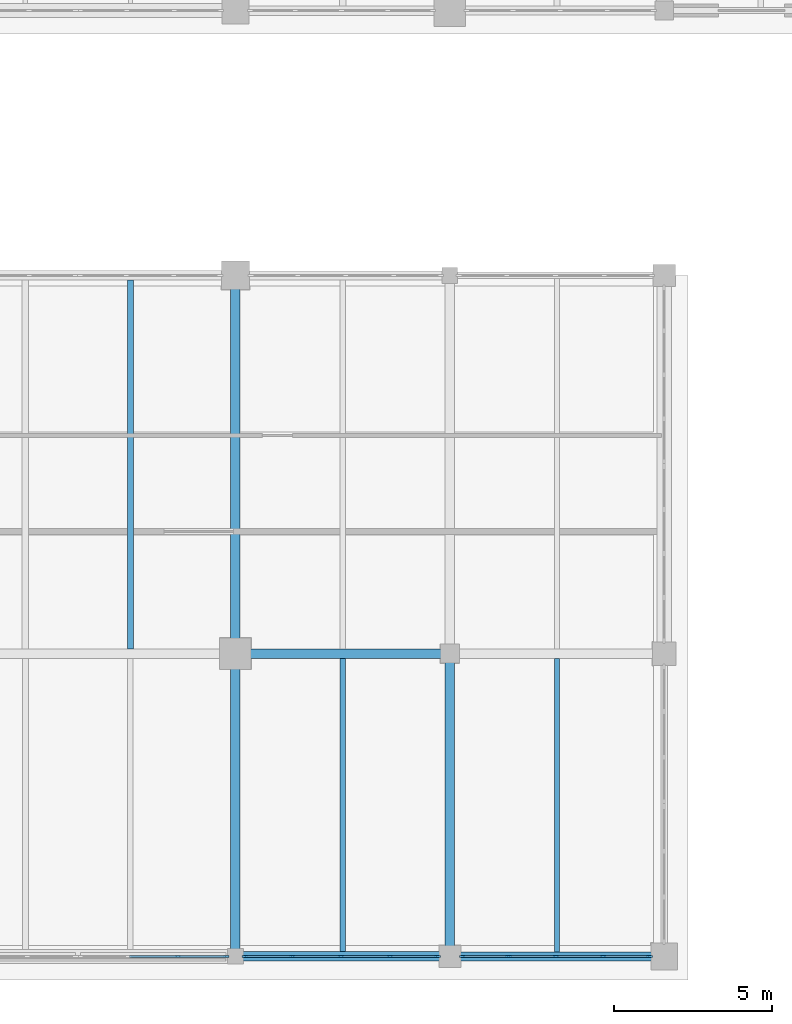
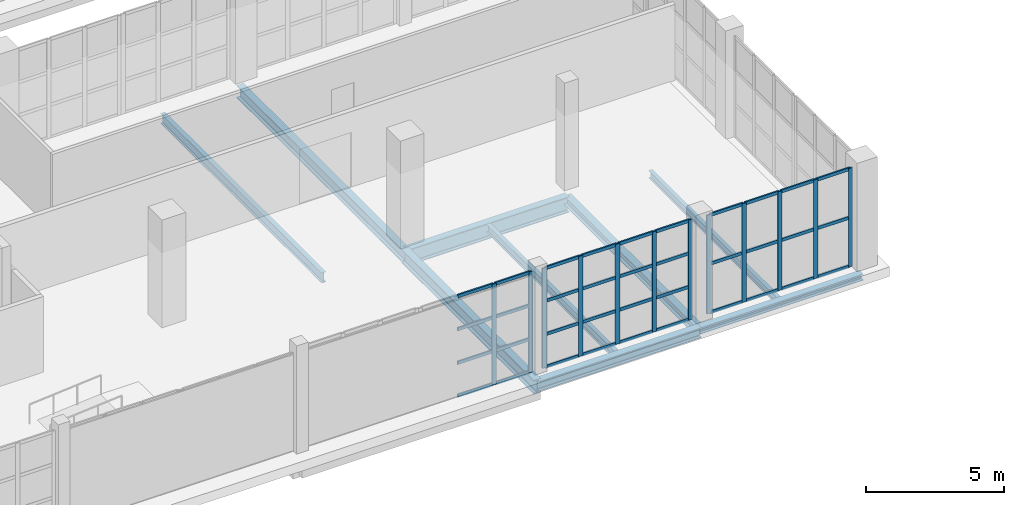
# One storey, part 42 of 121: 48 members, 9 beams, 3 elements without a shape of their own.
"""IFC4 building model written with IfcOpenShell, lengths in metres."""

from ifc_helpers import new_model, si_unit, direction, frame, origin, origin_2d, place, context, subcontext, project, spatial, rectangle, i_section, extrude, material, layer, layer_set, material_profile, profile_set, type_object, element, aggregate, save


model = new_model("IFC4")

# Units and contexts
model_context = context("Model", 3, precision=1e-05, world=origin(), true_north=direction((0.0, 1.0)))
body_context = subcontext(model_context, "Body", "Model", "MODEL_VIEW")
ifc_project = project(units=[si_unit("LENGTHUNIT", "METRE"), si_unit("AREAUNIT", "SQUARE_METRE"), si_unit("VOLUMEUNIT", "CUBIC_METRE"), si_unit("PLANEANGLEUNIT", "RADIAN"), si_unit("MASSUNIT", "GRAM", prefix="KILO")], contexts=[model_context])

# Site, building, storey
site_placement = place(None, origin())
site = spatial("IfcSite", under=ifc_project, at=site_placement, CompositionType="ELEMENT")
building_placement = place(site_placement, origin())
building = spatial("IfcBuilding", under=site, at=building_placement, Name="Zereglee Splitstone Museum", CompositionType="ELEMENT")
storey_placement = place(building_placement, origin())
storey = spatial("IfcBuildingStorey", under=building, at=storey_placement, Name="L00", CompositionType="ELEMENT", Elevation=0.0)

# Curtain wall, members
ifc_material_1 = material(Name="Triple-glazed low-E argon glass and bronze-anodised aluminium", Category="aluminium")
ifc_layer_1 = layer(ifc_material_1, 0.179931640625)
ifc_layer_set_1 = layer_set([ifc_layer_1], Name="Triple-glazed low-E argon glass and bronze-anodised aluminium")
curtain_wall_type_1 = type_object("IfcCurtainWallType", Name="CW-0470-448", PredefinedType="USERDEFINED", material=ifc_layer_set_1)
curtain_wall_1_placement = place(storey_placement, origin())
curtain_wall_1 = element("IfcCurtainWall", 1, at=curtain_wall_1_placement, inside=storey, type_object=curtain_wall_type_1, Name="Glazed Curtain Wall CW-0470-448 (L00)", ObjectType="GLAZED CURTAIN WALL", PredefinedType="USERDEFINED")
ifc_material_2 = material(Name="Thermally broken bronze-anodised aluminium", Category="aluminium")
ifc_material_profile_1 = material_profile(ifc_material_2, rectangle(XDim=0.06494140625, YDim=0.179931640625, at=origin_2d()), Name="CW MULL 65x180")
ifc_profile_set_1 = profile_set([ifc_material_profile_1], Name="Thermally broken bronze-anodised aluminium")
member_type_1 = type_object("IfcMemberType", Name="CWM-01", PredefinedType="MULLION", material=ifc_profile_set_1)
member_1_placement = place(storey_placement, frame((213.374755859375, 0.0, 0.0), z_axis=(0.0, 0.0, 1.0), x_axis=(0.0, 1.0, 0.0)))
member_1 = element("IfcMember", 2, at=member_1_placement, type_object=member_type_1, Name="CW-0470-448 mullion 3", PredefinedType="MULLION", context=body_context, shape_type="SweptSolid", body=[
    extrude(rectangle(XDim=0.06494140625, YDim=0.179931640625, at=origin_2d()), origin(), (0.0, 0.0, 1.0), 4.47998046875),
])
member_2_placement = place(storey_placement, frame((214.909423828125, 0.0, 0.0), z_axis=(0.0, 0.0, 1.0), x_axis=(0.0, 1.0, 0.0)))
member_2 = element("IfcMember", 3, at=member_2_placement, type_object=member_type_1, Name="CW-0470-448 mullion 4", PredefinedType="MULLION", context=body_context, shape_type="SweptSolid", body=[
    extrude(rectangle(XDim=0.06494140625, YDim=0.179931640625, at=origin_2d()), origin(), (0.0, 0.0, 1.0), 4.47998046875),
])

ifc_layer_2 = layer(ifc_material_1, 0.179931640625)
ifc_layer_set_2 = layer_set([ifc_layer_2], Name="Triple-glazed low-E argon glass and bronze-anodised aluminium")
curtain_wall_type_2 = type_object("IfcCurtainWallType", Name="CW-0618-444", PredefinedType="USERDEFINED", material=ifc_layer_set_2)
curtain_wall_2_placement = place(storey_placement, origin())
curtain_wall_2 = element("IfcCurtainWall", 4, at=curtain_wall_2_placement, inside=storey, type_object=curtain_wall_type_2, Name="Glazed Curtain Wall CW-0618-444 (L00)", ObjectType="GLAZED CURTAIN WALL", PredefinedType="USERDEFINED")
member_3_placement = place(storey_placement, frame((215.490478515625, 0.0, 0.0), z_axis=(0.0, 0.0, 1.0), x_axis=(0.0, 1.0, 0.0)))
member_3 = element("IfcMember", 5, at=member_3_placement, type_object=member_type_1, Name="CW-0618-444 mullion 1", PredefinedType="MULLION", context=body_context, shape_type="SweptSolid", body=[
    extrude(rectangle(XDim=0.06494140625, YDim=0.179931640625, at=origin_2d()), origin(), (0.0, 0.0, 1.0), 4.43994140625),
])
member_4_placement = place(storey_placement, frame((217.00390625, 0.0, 0.0), z_axis=(0.0, 0.0, 1.0), x_axis=(0.0, 1.0, 0.0)))
member_4 = element("IfcMember", 6, at=member_4_placement, type_object=member_type_1, Name="CW-0618-444 mullion 2", PredefinedType="MULLION", context=body_context, shape_type="SweptSolid", body=[
    extrude(rectangle(XDim=0.06494140625, YDim=0.179931640625, at=origin_2d()), origin(), (0.0, 0.0, 1.0), 4.43994140625),
])
member_5_placement = place(storey_placement, frame((218.550048828125, 0.0, 0.0), z_axis=(0.0, 0.0, 1.0), x_axis=(0.0, 1.0, 0.0)))
member_5 = element("IfcMember", 7, at=member_5_placement, type_object=member_type_1, Name="CW-0618-444 mullion 3", PredefinedType="MULLION", context=body_context, shape_type="SweptSolid", body=[
    extrude(rectangle(XDim=0.06494140625, YDim=0.179931640625, at=origin_2d()), origin(), (0.0, 0.0, 1.0), 4.43994140625),
])
member_6_placement = place(storey_placement, frame((220.095947265625, 0.0, 0.0), z_axis=(0.0, 0.0, 1.0), x_axis=(0.0, 1.0, 0.0)))
member_6 = element("IfcMember", 8, at=member_6_placement, type_object=member_type_1, Name="CW-0618-444 mullion 4", PredefinedType="MULLION", context=body_context, shape_type="SweptSolid", body=[
    extrude(rectangle(XDim=0.06494140625, YDim=0.179931640625, at=origin_2d()), origin(), (0.0, 0.0, 1.0), 4.43994140625),
])
member_7_placement = place(storey_placement, frame((221.609619140625, 0.0, 0.0), z_axis=(0.0, 0.0, 1.0), x_axis=(0.0, 1.0, 0.0)))
member_7 = element("IfcMember", 9, at=member_7_placement, type_object=member_type_1, Name="CW-0618-444 mullion 5", PredefinedType="MULLION", context=body_context, shape_type="SweptSolid", body=[
    extrude(rectangle(XDim=0.06494140625, YDim=0.179931640625, at=origin_2d()), origin(), (0.0, 0.0, 1.0), 4.43994140625),
])

ifc_layer_3 = layer(ifc_material_1, 0.179931640625)
ifc_layer_set_3 = layer_set([ifc_layer_3], Name="Triple-glazed low-E argon glass and bronze-anodised aluminium")
curtain_wall_type_3 = type_object("IfcCurtainWallType", Name="CW-0601-438", PredefinedType="USERDEFINED", material=ifc_layer_set_3)
curtain_wall_3_placement = place(storey_placement, origin())
curtain_wall_3 = element("IfcCurtainWall", 10, at=curtain_wall_3_placement, inside=storey, type_object=curtain_wall_type_3, Name="Glazed Curtain Wall CW-0601-438 (L00)", ObjectType="GLAZED CURTAIN WALL", PredefinedType="USERDEFINED")
member_8_placement = place(storey_placement, frame((222.390380859375, 0.0, 0.0), z_axis=(0.0, 0.0, 1.0), x_axis=(0.0, 1.0, 0.0)))
member_8 = element("IfcMember", 11, at=member_8_placement, type_object=member_type_1, Name="CW-0601-438 mullion 1", PredefinedType="MULLION", context=body_context, shape_type="SweptSolid", body=[
    extrude(rectangle(XDim=0.06494140625, YDim=0.179931640625, at=origin_2d()), origin(), (0.0, 0.0, 1.0), 4.3798828125),
])
member_9_placement = place(storey_placement, frame((223.8603515625, 0.0, 0.0), z_axis=(0.0, 0.0, 1.0), x_axis=(0.0, 1.0, 0.0)))
member_9 = element("IfcMember", 12, at=member_9_placement, type_object=member_type_1, Name="CW-0601-438 mullion 2", PredefinedType="MULLION", context=body_context, shape_type="SweptSolid", body=[
    extrude(rectangle(XDim=0.06494140625, YDim=0.179931640625, at=origin_2d()), origin(), (0.0, 0.0, 1.0), 4.3798828125),
])
member_10_placement = place(storey_placement, frame((225.362548828125, 0.0, 0.0), z_axis=(0.0, 0.0, 1.0), x_axis=(0.0, 1.0, 0.0)))
member_10 = element("IfcMember", 13, at=member_10_placement, type_object=member_type_1, Name="CW-0601-438 mullion 3", PredefinedType="MULLION", context=body_context, shape_type="SweptSolid", body=[
    extrude(rectangle(XDim=0.06494140625, YDim=0.179931640625, at=origin_2d()), origin(), (0.0, 0.0, 1.0), 4.3798828125),
])
member_11_placement = place(storey_placement, frame((226.86474609375, 0.0, 0.0), z_axis=(0.0, 0.0, 1.0), x_axis=(0.0, 1.0, 0.0)))
member_11 = element("IfcMember", 14, at=member_11_placement, type_object=member_type_1, Name="CW-0601-438 mullion 4", PredefinedType="MULLION", context=body_context, shape_type="SweptSolid", body=[
    extrude(rectangle(XDim=0.06494140625, YDim=0.179931640625, at=origin_2d()), origin(), (0.0, 0.0, 1.0), 4.3798828125),
])
member_12_placement = place(storey_placement, frame((228.33447265625, 0.0, 0.0), z_axis=(0.0, 0.0, 1.0), x_axis=(0.0, 1.0, 0.0)))
member_12 = element("IfcMember", 15, at=member_12_placement, type_object=member_type_1, Name="CW-0601-438 mullion 5", PredefinedType="MULLION", context=body_context, shape_type="SweptSolid", body=[
    extrude(rectangle(XDim=0.06494140625, YDim=0.179931640625, at=origin_2d()), origin(), (0.0, 0.0, 1.0), 4.3798828125),
])

# Member
ifc_material_profile_2 = material_profile(ifc_material_2, rectangle(XDim=0.06494140625, YDim=0.139892578125, at=origin_2d()), Name="CW TRAN 65x140")
ifc_profile_set_2 = profile_set([ifc_material_profile_2], Name="Thermally broken bronze-anodised aluminium")
member_type_2 = type_object("IfcMemberType", Name="CWT-01", PredefinedType="USERDEFINED", material=ifc_profile_set_2)
member_13_placement = place(storey_placement, frame((211.83984375, 0.0, 0.032470703125), z_axis=(1.0, 0.0, 0.0), x_axis=(0.0, 1.0, 0.0)))
member_13 = element("IfcMember", 16, at=member_13_placement, type_object=member_type_2, Name="CW-0470-448 transom 2.1", ObjectType="TRANSOM", PredefinedType="USERDEFINED", context=body_context, shape_type="SweptSolid", body=[
    extrude(rectangle(XDim=0.06494140625, YDim=0.139892578125, at=origin_2d()), origin(), (0.0, 0.0, 1.0), 1.50244140625),
])

member_14_placement = place(storey_placement, frame((211.83984375, 0.0, 1.493408203125), z_axis=(1.0, 0.0, 0.0), x_axis=(0.0, 1.0, 0.0)))
member_14 = element("IfcMember", 17, at=member_14_placement, type_object=member_type_2, Name="CW-0470-448 transom 2.2", ObjectType="TRANSOM", PredefinedType="USERDEFINED", context=body_context, shape_type="SweptSolid", body=[
    extrude(rectangle(XDim=0.06494140625, YDim=0.139892578125, at=origin_2d()), origin(), (0.0, 0.0, 1.0), 1.50244140625),
])

member_15_placement = place(storey_placement, frame((211.83984375, 0.0, 2.98681640625), z_axis=(1.0, 0.0, 0.0), x_axis=(0.0, 1.0, 0.0)))
member_15 = element("IfcMember", 18, at=member_15_placement, type_object=member_type_2, Name="CW-0470-448 transom 2.3", ObjectType="TRANSOM", PredefinedType="USERDEFINED", context=body_context, shape_type="SweptSolid", body=[
    extrude(rectangle(XDim=0.06494140625, YDim=0.139892578125, at=origin_2d()), origin(), (0.0, 0.0, 1.0), 1.50244140625),
])

member_16_placement = place(storey_placement, frame((211.83984375, 0.0, 4.447509765625), z_axis=(1.0, 0.0, 0.0), x_axis=(0.0, 1.0, 0.0)))
member_16 = element("IfcMember", 19, at=member_16_placement, type_object=member_type_2, Name="CW-0470-448 transom 2.4", ObjectType="TRANSOM", PredefinedType="USERDEFINED", context=body_context, shape_type="SweptSolid", body=[
    extrude(rectangle(XDim=0.06494140625, YDim=0.139892578125, at=origin_2d()), origin(), (0.0, 0.0, 1.0), 1.50244140625),
])

member_17_placement = place(storey_placement, frame((213.4072265625, 0.0, 0.032470703125), z_axis=(1.0, 0.0, 0.0), x_axis=(0.0, 1.0, 0.0)))
member_17 = element("IfcMember", 20, at=member_17_placement, type_object=member_type_2, Name="CW-0470-448 transom 3.1", ObjectType="TRANSOM", PredefinedType="USERDEFINED", context=body_context, shape_type="SweptSolid", body=[
    extrude(rectangle(XDim=0.06494140625, YDim=0.139892578125, at=origin_2d()), origin(), (0.0, 0.0, 1.0), 1.4697265625),
])

member_18_placement = place(storey_placement, frame((213.4072265625, 0.0, 1.493408203125), z_axis=(1.0, 0.0, 0.0), x_axis=(0.0, 1.0, 0.0)))
member_18 = element("IfcMember", 21, at=member_18_placement, type_object=member_type_2, Name="CW-0470-448 transom 3.2", ObjectType="TRANSOM", PredefinedType="USERDEFINED", context=body_context, shape_type="SweptSolid", body=[
    extrude(rectangle(XDim=0.06494140625, YDim=0.139892578125, at=origin_2d()), origin(), (0.0, 0.0, 1.0), 1.4697265625),
])

member_19_placement = place(storey_placement, frame((213.4072265625, 0.0, 2.98681640625), z_axis=(1.0, 0.0, 0.0), x_axis=(0.0, 1.0, 0.0)))
member_19 = element("IfcMember", 22, at=member_19_placement, type_object=member_type_2, Name="CW-0470-448 transom 3.3", ObjectType="TRANSOM", PredefinedType="USERDEFINED", context=body_context, shape_type="SweptSolid", body=[
    extrude(rectangle(XDim=0.06494140625, YDim=0.139892578125, at=origin_2d()), origin(), (0.0, 0.0, 1.0), 1.4697265625),
])

member_20_placement = place(storey_placement, frame((213.4072265625, 0.0, 4.447509765625), z_axis=(1.0, 0.0, 0.0), x_axis=(0.0, 1.0, 0.0)))
member_20 = element("IfcMember", 23, at=member_20_placement, type_object=member_type_2, Name="CW-0470-448 transom 3.4", ObjectType="TRANSOM", PredefinedType="USERDEFINED", context=body_context, shape_type="SweptSolid", body=[
    extrude(rectangle(XDim=0.06494140625, YDim=0.139892578125, at=origin_2d()), origin(), (0.0, 0.0, 1.0), 1.4697265625),
])

aggregate(curtain_wall_1, [member_1, member_2, member_13, member_14, member_15, member_16, member_17, member_18, member_19, member_20])

member_21_placement = place(storey_placement, frame((215.52294921875, 0.0, 0.032470703125), z_axis=(1.0, 0.0, 0.0), x_axis=(0.0, 1.0, 0.0)))
member_21 = element("IfcMember", 24, at=member_21_placement, type_object=member_type_2, Name="CW-0618-444 transom 1.1", ObjectType="TRANSOM", PredefinedType="USERDEFINED", context=body_context, shape_type="SweptSolid", body=[
    extrude(rectangle(XDim=0.06494140625, YDim=0.139892578125, at=origin_2d()), origin(), (0.0, 0.0, 1.0), 1.448486328125),
])

member_22_placement = place(storey_placement, frame((215.52294921875, 0.0, 1.47998046875), z_axis=(1.0, 0.0, 0.0), x_axis=(0.0, 1.0, 0.0)))
member_22 = element("IfcMember", 25, at=member_22_placement, type_object=member_type_2, Name="CW-0618-444 transom 1.2", ObjectType="TRANSOM", PredefinedType="USERDEFINED", context=body_context, shape_type="SweptSolid", body=[
    extrude(rectangle(XDim=0.06494140625, YDim=0.139892578125, at=origin_2d()), origin(), (0.0, 0.0, 1.0), 1.448486328125),
])

member_23_placement = place(storey_placement, frame((215.52294921875, 0.0, 2.9599609375), z_axis=(1.0, 0.0, 0.0), x_axis=(0.0, 1.0, 0.0)))
member_23 = element("IfcMember", 26, at=member_23_placement, type_object=member_type_2, Name="CW-0618-444 transom 1.3", ObjectType="TRANSOM", PredefinedType="USERDEFINED", context=body_context, shape_type="SweptSolid", body=[
    extrude(rectangle(XDim=0.06494140625, YDim=0.139892578125, at=origin_2d()), origin(), (0.0, 0.0, 1.0), 1.448486328125),
])

member_24_placement = place(storey_placement, frame((215.52294921875, 0.0, 4.407470703125), z_axis=(1.0, 0.0, 0.0), x_axis=(0.0, 1.0, 0.0)))
member_24 = element("IfcMember", 27, at=member_24_placement, type_object=member_type_2, Name="CW-0618-444 transom 1.4", ObjectType="TRANSOM", PredefinedType="USERDEFINED", context=body_context, shape_type="SweptSolid", body=[
    extrude(rectangle(XDim=0.06494140625, YDim=0.139892578125, at=origin_2d()), origin(), (0.0, 0.0, 1.0), 1.448486328125),
])

member_25_placement = place(storey_placement, frame((217.03662109375, 0.0, 0.032470703125), z_axis=(1.0, 0.0, 0.0), x_axis=(0.0, 1.0, 0.0)))
member_25 = element("IfcMember", 28, at=member_25_placement, type_object=member_type_2, Name="CW-0618-444 transom 2.1", ObjectType="TRANSOM", PredefinedType="USERDEFINED", context=body_context, shape_type="SweptSolid", body=[
    extrude(rectangle(XDim=0.06494140625, YDim=0.139892578125, at=origin_2d()), origin(), (0.0, 0.0, 1.0), 1.48095703125),
])

member_26_placement = place(storey_placement, frame((217.03662109375, 0.0, 1.47998046875), z_axis=(1.0, 0.0, 0.0), x_axis=(0.0, 1.0, 0.0)))
member_26 = element("IfcMember", 29, at=member_26_placement, type_object=member_type_2, Name="CW-0618-444 transom 2.2", ObjectType="TRANSOM", PredefinedType="USERDEFINED", context=body_context, shape_type="SweptSolid", body=[
    extrude(rectangle(XDim=0.06494140625, YDim=0.139892578125, at=origin_2d()), origin(), (0.0, 0.0, 1.0), 1.48095703125),
])

member_27_placement = place(storey_placement, frame((217.03662109375, 0.0, 2.9599609375), z_axis=(1.0, 0.0, 0.0), x_axis=(0.0, 1.0, 0.0)))
member_27 = element("IfcMember", 30, at=member_27_placement, type_object=member_type_2, Name="CW-0618-444 transom 2.3", ObjectType="TRANSOM", PredefinedType="USERDEFINED", context=body_context, shape_type="SweptSolid", body=[
    extrude(rectangle(XDim=0.06494140625, YDim=0.139892578125, at=origin_2d()), origin(), (0.0, 0.0, 1.0), 1.48095703125),
])

member_28_placement = place(storey_placement, frame((217.03662109375, 0.0, 4.407470703125), z_axis=(1.0, 0.0, 0.0), x_axis=(0.0, 1.0, 0.0)))
member_28 = element("IfcMember", 31, at=member_28_placement, type_object=member_type_2, Name="CW-0618-444 transom 2.4", ObjectType="TRANSOM", PredefinedType="USERDEFINED", context=body_context, shape_type="SweptSolid", body=[
    extrude(rectangle(XDim=0.06494140625, YDim=0.139892578125, at=origin_2d()), origin(), (0.0, 0.0, 1.0), 1.48095703125),
])

member_29_placement = place(storey_placement, frame((218.58251953125, 0.0, 0.032470703125), z_axis=(1.0, 0.0, 0.0), x_axis=(0.0, 1.0, 0.0)))
member_29 = element("IfcMember", 32, at=member_29_placement, type_object=member_type_2, Name="CW-0618-444 transom 3.1", ObjectType="TRANSOM", PredefinedType="USERDEFINED", context=body_context, shape_type="SweptSolid", body=[
    extrude(rectangle(XDim=0.06494140625, YDim=0.139892578125, at=origin_2d()), origin(), (0.0, 0.0, 1.0), 1.48095703125),
])

member_30_placement = place(storey_placement, frame((218.58251953125, 0.0, 1.47998046875), z_axis=(1.0, 0.0, 0.0), x_axis=(0.0, 1.0, 0.0)))
member_30 = element("IfcMember", 33, at=member_30_placement, type_object=member_type_2, Name="CW-0618-444 transom 3.2", ObjectType="TRANSOM", PredefinedType="USERDEFINED", context=body_context, shape_type="SweptSolid", body=[
    extrude(rectangle(XDim=0.06494140625, YDim=0.139892578125, at=origin_2d()), origin(), (0.0, 0.0, 1.0), 1.48095703125),
])

member_31_placement = place(storey_placement, frame((218.58251953125, 0.0, 2.9599609375), z_axis=(1.0, 0.0, 0.0), x_axis=(0.0, 1.0, 0.0)))
member_31 = element("IfcMember", 34, at=member_31_placement, type_object=member_type_2, Name="CW-0618-444 transom 3.3", ObjectType="TRANSOM", PredefinedType="USERDEFINED", context=body_context, shape_type="SweptSolid", body=[
    extrude(rectangle(XDim=0.06494140625, YDim=0.139892578125, at=origin_2d()), origin(), (0.0, 0.0, 1.0), 1.48095703125),
])

member_32_placement = place(storey_placement, frame((218.58251953125, 0.0, 4.407470703125), z_axis=(1.0, 0.0, 0.0), x_axis=(0.0, 1.0, 0.0)))
member_32 = element("IfcMember", 35, at=member_32_placement, type_object=member_type_2, Name="CW-0618-444 transom 3.4", ObjectType="TRANSOM", PredefinedType="USERDEFINED", context=body_context, shape_type="SweptSolid", body=[
    extrude(rectangle(XDim=0.06494140625, YDim=0.139892578125, at=origin_2d()), origin(), (0.0, 0.0, 1.0), 1.48095703125),
])

member_33_placement = place(storey_placement, frame((220.12841796875, 0.0, 0.032470703125), z_axis=(1.0, 0.0, 0.0), x_axis=(0.0, 1.0, 0.0)))
member_33 = element("IfcMember", 36, at=member_33_placement, type_object=member_type_2, Name="CW-0618-444 transom 4.1", ObjectType="TRANSOM", PredefinedType="USERDEFINED", context=body_context, shape_type="SweptSolid", body=[
    extrude(rectangle(XDim=0.06494140625, YDim=0.139892578125, at=origin_2d()), origin(), (0.0, 0.0, 1.0), 1.448486328125),
])

member_34_placement = place(storey_placement, frame((220.12841796875, 0.0, 1.47998046875), z_axis=(1.0, 0.0, 0.0), x_axis=(0.0, 1.0, 0.0)))
member_34 = element("IfcMember", 37, at=member_34_placement, type_object=member_type_2, Name="CW-0618-444 transom 4.2", ObjectType="TRANSOM", PredefinedType="USERDEFINED", context=body_context, shape_type="SweptSolid", body=[
    extrude(rectangle(XDim=0.06494140625, YDim=0.139892578125, at=origin_2d()), origin(), (0.0, 0.0, 1.0), 1.448486328125),
])

member_35_placement = place(storey_placement, frame((220.12841796875, 0.0, 2.9599609375), z_axis=(1.0, 0.0, 0.0), x_axis=(0.0, 1.0, 0.0)))
member_35 = element("IfcMember", 38, at=member_35_placement, type_object=member_type_2, Name="CW-0618-444 transom 4.3", ObjectType="TRANSOM", PredefinedType="USERDEFINED", context=body_context, shape_type="SweptSolid", body=[
    extrude(rectangle(XDim=0.06494140625, YDim=0.139892578125, at=origin_2d()), origin(), (0.0, 0.0, 1.0), 1.448486328125),
])

member_36_placement = place(storey_placement, frame((220.12841796875, 0.0, 4.407470703125), z_axis=(1.0, 0.0, 0.0), x_axis=(0.0, 1.0, 0.0)))
member_36 = element("IfcMember", 39, at=member_36_placement, type_object=member_type_2, Name="CW-0618-444 transom 4.4", ObjectType="TRANSOM", PredefinedType="USERDEFINED", context=body_context, shape_type="SweptSolid", body=[
    extrude(rectangle(XDim=0.06494140625, YDim=0.139892578125, at=origin_2d()), origin(), (0.0, 0.0, 1.0), 1.448486328125),
])

aggregate(curtain_wall_2, [member_3, member_4, member_5, member_6, member_7, member_21, member_22, member_23, member_24, member_25, member_26, member_27, member_28, member_29, member_30, member_31, member_32, member_33, member_34, member_35, member_36])

member_37_placement = place(storey_placement, frame((222.423095703125, 0.0, 0.032470703125), z_axis=(1.0, 0.0, 0.0), x_axis=(0.0, 1.0, 0.0)))
member_37 = element("IfcMember", 40, at=member_37_placement, type_object=member_type_2, Name="CW-0601-438 transom 1.1", ObjectType="TRANSOM", PredefinedType="USERDEFINED", context=body_context, shape_type="SweptSolid", body=[
    extrude(rectangle(XDim=0.06494140625, YDim=0.139892578125, at=origin_2d()), origin(), (0.0, 0.0, 1.0), 1.404541015625),
])

member_38_placement = place(storey_placement, frame((222.423095703125, 0.0, 2.18994140625), z_axis=(1.0, 0.0, 0.0), x_axis=(0.0, 1.0, 0.0)))
member_38 = element("IfcMember", 41, at=member_38_placement, type_object=member_type_2, Name="CW-0601-438 transom 1.2", ObjectType="TRANSOM", PredefinedType="USERDEFINED", context=body_context, shape_type="SweptSolid", body=[
    extrude(rectangle(XDim=0.06494140625, YDim=0.139892578125, at=origin_2d()), origin(), (0.0, 0.0, 1.0), 1.404541015625),
])

member_39_placement = place(storey_placement, frame((222.423095703125, 0.0, 4.347412109375), z_axis=(1.0, 0.0, 0.0), x_axis=(0.0, 1.0, 0.0)))
member_39 = element("IfcMember", 42, at=member_39_placement, type_object=member_type_2, Name="CW-0601-438 transom 1.3", ObjectType="TRANSOM", PredefinedType="USERDEFINED", context=body_context, shape_type="SweptSolid", body=[
    extrude(rectangle(XDim=0.06494140625, YDim=0.139892578125, at=origin_2d()), origin(), (0.0, 0.0, 1.0), 1.404541015625),
])

member_40_placement = place(storey_placement, frame((223.892822265625, 0.0, 0.032470703125), z_axis=(1.0, 0.0, 0.0), x_axis=(0.0, 1.0, 0.0)))
member_40 = element("IfcMember", 43, at=member_40_placement, type_object=member_type_2, Name="CW-0601-438 transom 2.1", ObjectType="TRANSOM", PredefinedType="USERDEFINED", context=body_context, shape_type="SweptSolid", body=[
    extrude(rectangle(XDim=0.06494140625, YDim=0.139892578125, at=origin_2d()), origin(), (0.0, 0.0, 1.0), 1.437255859375),
])

member_41_placement = place(storey_placement, frame((223.892822265625, 0.0, 2.18994140625), z_axis=(1.0, 0.0, 0.0), x_axis=(0.0, 1.0, 0.0)))
member_41 = element("IfcMember", 44, at=member_41_placement, type_object=member_type_2, Name="CW-0601-438 transom 2.2", ObjectType="TRANSOM", PredefinedType="USERDEFINED", context=body_context, shape_type="SweptSolid", body=[
    extrude(rectangle(XDim=0.06494140625, YDim=0.139892578125, at=origin_2d()), origin(), (0.0, 0.0, 1.0), 1.437255859375),
])

member_42_placement = place(storey_placement, frame((223.892822265625, 0.0, 4.347412109375), z_axis=(1.0, 0.0, 0.0), x_axis=(0.0, 1.0, 0.0)))
member_42 = element("IfcMember", 45, at=member_42_placement, type_object=member_type_2, Name="CW-0601-438 transom 2.3", ObjectType="TRANSOM", PredefinedType="USERDEFINED", context=body_context, shape_type="SweptSolid", body=[
    extrude(rectangle(XDim=0.06494140625, YDim=0.139892578125, at=origin_2d()), origin(), (0.0, 0.0, 1.0), 1.437255859375),
])

member_43_placement = place(storey_placement, frame((225.39501953125, 0.0, 0.032470703125), z_axis=(1.0, 0.0, 0.0), x_axis=(0.0, 1.0, 0.0)))
member_43 = element("IfcMember", 46, at=member_43_placement, type_object=member_type_2, Name="CW-0601-438 transom 3.1", ObjectType="TRANSOM", PredefinedType="USERDEFINED", context=body_context, shape_type="SweptSolid", body=[
    extrude(rectangle(XDim=0.06494140625, YDim=0.139892578125, at=origin_2d()), origin(), (0.0, 0.0, 1.0), 1.437255859375),
])

member_44_placement = place(storey_placement, frame((225.39501953125, 0.0, 2.18994140625), z_axis=(1.0, 0.0, 0.0), x_axis=(0.0, 1.0, 0.0)))
member_44 = element("IfcMember", 47, at=member_44_placement, type_object=member_type_2, Name="CW-0601-438 transom 3.2", ObjectType="TRANSOM", PredefinedType="USERDEFINED", context=body_context, shape_type="SweptSolid", body=[
    extrude(rectangle(XDim=0.06494140625, YDim=0.139892578125, at=origin_2d()), origin(), (0.0, 0.0, 1.0), 1.437255859375),
])

member_45_placement = place(storey_placement, frame((225.39501953125, 0.0, 4.347412109375), z_axis=(1.0, 0.0, 0.0), x_axis=(0.0, 1.0, 0.0)))
member_45 = element("IfcMember", 48, at=member_45_placement, type_object=member_type_2, Name="CW-0601-438 transom 3.3", ObjectType="TRANSOM", PredefinedType="USERDEFINED", context=body_context, shape_type="SweptSolid", body=[
    extrude(rectangle(XDim=0.06494140625, YDim=0.139892578125, at=origin_2d()), origin(), (0.0, 0.0, 1.0), 1.437255859375),
])

member_46_placement = place(storey_placement, frame((226.897216796875, 0.0, 0.032470703125), z_axis=(1.0, 0.0, 0.0), x_axis=(0.0, 1.0, 0.0)))
member_46 = element("IfcMember", 49, at=member_46_placement, type_object=member_type_2, Name="CW-0601-438 transom 4.1", ObjectType="TRANSOM", PredefinedType="USERDEFINED", context=body_context, shape_type="SweptSolid", body=[
    extrude(rectangle(XDim=0.06494140625, YDim=0.139892578125, at=origin_2d()), origin(), (0.0, 0.0, 1.0), 1.40478515625),
])

member_47_placement = place(storey_placement, frame((226.897216796875, 0.0, 2.18994140625), z_axis=(1.0, 0.0, 0.0), x_axis=(0.0, 1.0, 0.0)))
member_47 = element("IfcMember", 50, at=member_47_placement, type_object=member_type_2, Name="CW-0601-438 transom 4.2", ObjectType="TRANSOM", PredefinedType="USERDEFINED", context=body_context, shape_type="SweptSolid", body=[
    extrude(rectangle(XDim=0.06494140625, YDim=0.139892578125, at=origin_2d()), origin(), (0.0, 0.0, 1.0), 1.40478515625),
])

member_48_placement = place(storey_placement, frame((226.897216796875, 0.0, 4.347412109375), z_axis=(1.0, 0.0, 0.0), x_axis=(0.0, 1.0, 0.0)))
member_48 = element("IfcMember", 51, at=member_48_placement, type_object=member_type_2, Name="CW-0601-438 transom 4.3", ObjectType="TRANSOM", PredefinedType="USERDEFINED", context=body_context, shape_type="SweptSolid", body=[
    extrude(rectangle(XDim=0.06494140625, YDim=0.139892578125, at=origin_2d()), origin(), (0.0, 0.0, 1.0), 1.40478515625),
])

aggregate(curtain_wall_3, [member_8, member_9, member_10, member_11, member_12, member_37, member_38, member_39, member_40, member_41, member_42, member_43, member_44, member_45, member_46, member_47, member_48])

# Beams
ifc_material_3 = material(Name="Steel S355J2", Category="steel")
ifc_material_profile_3 = material_profile(ifc_material_3, i_section(OverallWidth=0.300048828125, OverallDepth=0.39990234375, WebThickness=0.013427734375, FlangeThickness=0.02392578125, FilletRadius=0.027099609375, at=origin_2d()), Name="HE 400 B")
ifc_profile_set_3 = profile_set([ifc_material_profile_3], Name="Steel S355J2")
beam_type_1 = type_object("IfcBeamType", Name="BG-13", PredefinedType="BEAM", material=ifc_profile_set_3)
beam_1_placement = place(storey_placement, frame((222.0, 0.0, -0.6201171875), z_axis=(0.0, 1.0, 0.0), x_axis=(-1.0, 0.0, 0.0)))
element("IfcBeam", 52, at=beam_1_placement, inside=storey, type_object=beam_type_1, Name="Primary Girder L00 25 (0.0-9.6)", PredefinedType="BEAM", context=body_context, shape_type="SweptSolid", body=[
    extrude(i_section(OverallWidth=0.300048828125, OverallDepth=0.39990234375, WebThickness=0.013427734375, FlangeThickness=0.02392578125, FilletRadius=0.027099609375, at=origin_2d()), origin(), (0.0, 0.0, 1.0), 9.60009765625),
])
ifc_material_profile_4 = material_profile(ifc_material_3, i_section(OverallWidth=0.300048828125, OverallDepth=0.550048828125, WebThickness=0.014892578125, FlangeThickness=0.029052734375, FilletRadius=0.027099609375, at=origin_2d()), Name="HE 550 B")
ifc_profile_set_4 = profile_set([ifc_material_profile_4], Name="Steel S355J2")
beam_type_2 = type_object("IfcBeamType", Name="BG-11", PredefinedType="BEAM", material=ifc_profile_set_4)
beam_2_placement = place(storey_placement, frame((215.199951171875, 9.60009765625, -0.695068359375), z_axis=(0.0, 1.0, 0.0), x_axis=(-1.0, 0.0, 0.0)))
element("IfcBeam", 53, at=beam_2_placement, inside=storey, type_object=beam_type_2, Name="Primary Girder L00 24 (9.6-21.6)", PredefinedType="BEAM", context=body_context, shape_type="SweptSolid", body=[
    extrude(i_section(OverallWidth=0.300048828125, OverallDepth=0.550048828125, WebThickness=0.014892578125, FlangeThickness=0.029052734375, FilletRadius=0.027099609375, at=origin_2d()), origin(), (0.0, 0.0, 1.0), 12.0),
])
ifc_material_profile_5 = material_profile(ifc_material_3, i_section(OverallWidth=0.300048828125, OverallDepth=0.60009765625, WebThickness=0.015380859375, FlangeThickness=0.030029296875, FilletRadius=0.027099609375, at=origin_2d()), Name="HE 600 B")
ifc_profile_set_5 = profile_set([ifc_material_profile_5], Name="Steel S355J2")
beam_type_3 = type_object("IfcBeamType", Name="BG-10", PredefinedType="BEAM", material=ifc_profile_set_5)
beam_3_placement = place(storey_placement, frame((215.199951171875, 0.0, -0.719970703125), z_axis=(0.0, 1.0, 0.0), x_axis=(-1.0, 0.0, 0.0)))
element("IfcBeam", 54, at=beam_3_placement, inside=storey, type_object=beam_type_3, Name="Primary Girder L00 24 (0.0-9.6)", PredefinedType="BEAM", context=body_context, shape_type="SweptSolid", body=[
    extrude(i_section(OverallWidth=0.300048828125, OverallDepth=0.60009765625, WebThickness=0.015380859375, FlangeThickness=0.030029296875, FilletRadius=0.027099609375, at=origin_2d()), origin(), (0.0, 0.0, 1.0), 9.60009765625),
])
ifc_material_profile_6 = material_profile(ifc_material_3, i_section(OverallWidth=0.300048828125, OverallDepth=0.699951171875, WebThickness=0.01708984375, FlangeThickness=0.031982421875, FilletRadius=0.027099609375, at=origin_2d()), Name="HE 700 B")
ifc_profile_set_6 = profile_set([ifc_material_profile_6], Name="Steel S355J2")
beam_type_4 = type_object("IfcBeamType", Name="BG-08", PredefinedType="BEAM", material=ifc_profile_set_6)
beam_4_placement = place(storey_placement, frame((215.199951171875, 9.60009765625, -0.77001953125), z_axis=(1.0, 0.0, 0.0), x_axis=(0.0, 1.0, 0.0)))
element("IfcBeam", 55, at=beam_4_placement, inside=storey, type_object=beam_type_4, Name="Primary Girder L00 B (215.2-222.0)", PredefinedType="BEAM", context=body_context, shape_type="SweptSolid", body=[
    extrude(i_section(OverallWidth=0.300048828125, OverallDepth=0.699951171875, WebThickness=0.01708984375, FlangeThickness=0.031982421875, FilletRadius=0.027099609375, at=origin_2d()), origin(), (0.0, 0.0, 1.0), 6.800048828125),
])
ifc_material_profile_7 = material_profile(ifc_material_3, i_section(OverallWidth=0.159912109375, OverallDepth=0.330078125, WebThickness=0.007568359375, FlangeThickness=0.011474609375, FilletRadius=0.01806640625, at=origin_2d()), Name="IPE 330")
ifc_profile_set_7 = profile_set([ifc_material_profile_7], Name="Steel S355J2")
beam_type_5 = type_object("IfcBeamType", Name="BJ-05", PredefinedType="JOIST", material=ifc_profile_set_7)
beam_5_placement = place(storey_placement, frame((225.39990234375, 0.139892578125, -0.5849609375), z_axis=(0.0, 1.0, 0.0), x_axis=(-1.0, 0.0, 0.0)))
element("IfcBeam", 56, at=beam_5_placement, inside=storey, type_object=beam_type_5, Name="Secondary Floor Joist L00-0270", PredefinedType="JOIST", context=body_context, shape_type="SweptSolid", body=[
    extrude(i_section(OverallWidth=0.159912109375, OverallDepth=0.330078125, WebThickness=0.007568359375, FlangeThickness=0.011474609375, FilletRadius=0.01806640625, at=origin_2d()), origin(), (0.0, 0.0, 1.0), 9.31005859375),
])
ifc_material_profile_8 = material_profile(ifc_material_3, i_section(OverallWidth=0.169921875, OverallDepth=0.360107421875, WebThickness=0.008056640625, FlangeThickness=0.0126953125, FilletRadius=0.01806640625, at=origin_2d()), Name="IPE 360")
ifc_profile_set_8 = profile_set([ifc_material_profile_8], Name="Steel S355J2")
beam_type_6 = type_object("IfcBeamType", Name="BJ-04", PredefinedType="JOIST", material=ifc_profile_set_8)
beam_6_placement = place(storey_placement, frame((218.60009765625, 0.14990234375, -0.60009765625), z_axis=(0.0, 1.0, 0.0), x_axis=(-1.0, 0.0, 0.0)))
element("IfcBeam", 57, at=beam_6_placement, inside=storey, type_object=beam_type_6, Name="Secondary Floor Joist L00-0269", PredefinedType="JOIST", context=body_context, shape_type="SweptSolid", body=[
    extrude(i_section(OverallWidth=0.169921875, OverallDepth=0.360107421875, WebThickness=0.008056640625, FlangeThickness=0.0126953125, FilletRadius=0.01806640625, at=origin_2d()), origin(), (0.0, 0.0, 1.0), 9.300048828125),
])
ifc_material_profile_9 = material_profile(ifc_material_3, i_section(OverallWidth=0.18994140625, OverallDepth=0.449951171875, WebThickness=0.009521484375, FlangeThickness=0.0146484375, FilletRadius=0.02099609375, at=origin_2d()), Name="IPE 450")
ifc_profile_set_9 = profile_set([ifc_material_profile_9], Name="Steel S355J2")
beam_type_7 = type_object("IfcBeamType", Name="BJ-02", PredefinedType="JOIST", material=ifc_profile_set_9)
beam_7_placement = place(storey_placement, frame((211.86669921875, 9.75, -0.64501953125), z_axis=(0.0, 1.0, 0.0), x_axis=(-1.0, 0.0, 0.0)))
element("IfcBeam", 58, at=beam_7_placement, inside=storey, type_object=beam_type_7, Name="Secondary Floor Joist L00-0302", PredefinedType="JOIST", context=body_context, shape_type="SweptSolid", body=[
    extrude(i_section(OverallWidth=0.18994140625, OverallDepth=0.449951171875, WebThickness=0.009521484375, FlangeThickness=0.0146484375, FilletRadius=0.02099609375, at=origin_2d()), origin(), (0.0, 0.0, 1.0), 11.699951171875),
])
ifc_material_profile_10 = material_profile(ifc_material_3, i_section(OverallWidth=0.280029296875, OverallDepth=0.280029296875, WebThickness=0.010498046875, FlangeThickness=0.01806640625, FilletRadius=0.02392578125, at=origin_2d()), Name="HE 280 B")
ifc_profile_set_10 = profile_set([ifc_material_profile_10], Name="Steel S355J2")
beam_type_8 = type_object("IfcBeamType", Name="SP-03", PredefinedType="SPANDREL", material=ifc_profile_set_10)
beam_8_placement = place(storey_placement, frame((222.0, 0.0, -0.56005859375), z_axis=(1.0, 0.0, 0.0), x_axis=(0.0, 1.0, 0.0)))
element("IfcBeam", 59, at=beam_8_placement, inside=storey, type_object=beam_type_8, Name="Primary Girder L00 A (222.0-228.8)", PredefinedType="SPANDREL", context=body_context, shape_type="SweptSolid", body=[
    extrude(i_section(OverallWidth=0.280029296875, OverallDepth=0.280029296875, WebThickness=0.010498046875, FlangeThickness=0.01806640625, FilletRadius=0.02392578125, at=origin_2d()), origin(), (0.0, 0.0, 1.0), 6.800048828125),
])
ifc_material_profile_11 = material_profile(ifc_material_3, i_section(OverallWidth=0.300048828125, OverallDepth=0.449951171875, WebThickness=0.013916015625, FlangeThickness=0.02587890625, FilletRadius=0.027099609375, at=origin_2d()), Name="HE 450 B")
ifc_profile_set_11 = profile_set([ifc_material_profile_11], Name="Steel S355J2")
beam_type_9 = type_object("IfcBeamType", Name="SP-02", PredefinedType="SPANDREL", material=ifc_profile_set_11)
beam_9_placement = place(storey_placement, frame((215.199951171875, 0.0, -0.64501953125), z_axis=(1.0, 0.0, 0.0), x_axis=(0.0, 1.0, 0.0)))
element("IfcBeam", 60, at=beam_9_placement, inside=storey, type_object=beam_type_9, Name="Primary Girder L00 A (215.2-222.0)", PredefinedType="SPANDREL", context=body_context, shape_type="SweptSolid", body=[
    extrude(i_section(OverallWidth=0.300048828125, OverallDepth=0.449951171875, WebThickness=0.013916015625, FlangeThickness=0.02587890625, FilletRadius=0.027099609375, at=origin_2d()), origin(), (0.0, 0.0, 1.0), 6.800048828125),
])

save(model, "model.ifc")
